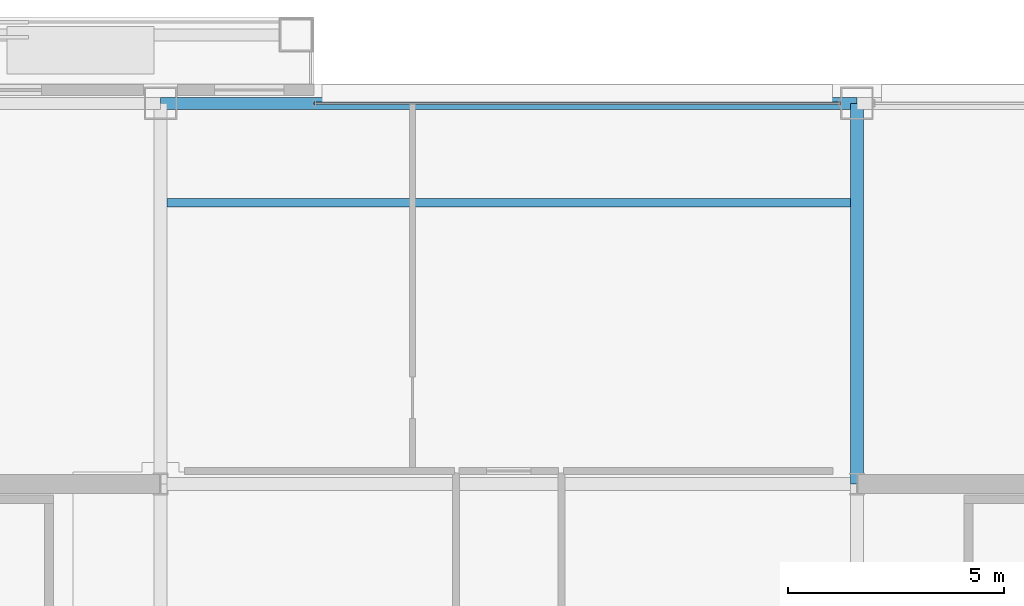
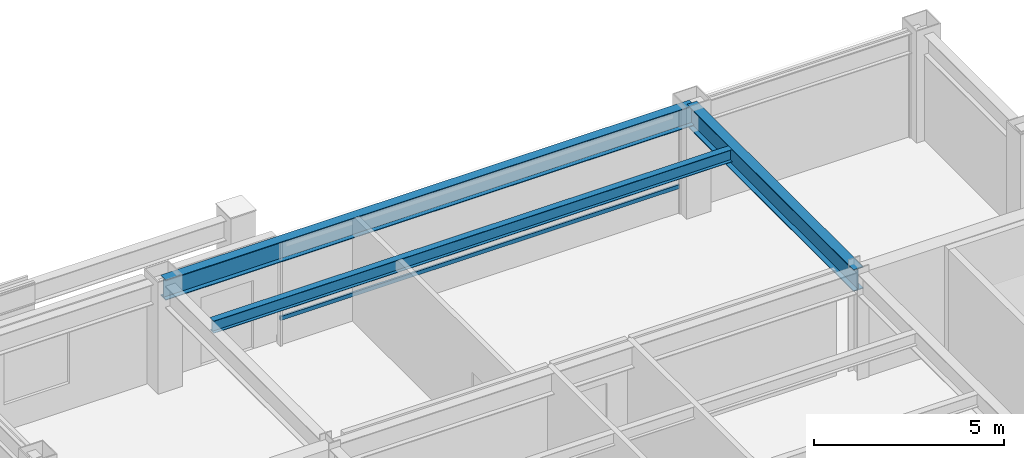
# One storey, part 20 of 27: 3 beams, 1 member, 1 element without a shape of its own.
"""IFC4 building model written with IfcOpenShell, lengths in metres."""

from ifc_helpers import new_model, si_unit, direction, frame, origin, origin_2d, place, context, subcontext, project, spatial, hollow_rectangle, i_section, extrude, material, layer, layer_set, material_profile, profile_set, type_object, element, aggregate, save


model = new_model("IFC4")

# Units and contexts
model_context = context("Model", 3, precision=1e-05, world=origin(), true_north=direction((0.0, 1.0)))
body_context = subcontext(model_context, "Body", "Model", "MODEL_VIEW")
ifc_project = project(units=[si_unit("LENGTHUNIT", "METRE"), si_unit("AREAUNIT", "SQUARE_METRE"), si_unit("VOLUMEUNIT", "CUBIC_METRE"), si_unit("PLANEANGLEUNIT", "RADIAN"), si_unit("MASSUNIT", "GRAM", prefix="KILO")], contexts=[model_context])

# Site, building, storey
site_placement = place(None, origin())
site = spatial("IfcSite", under=ifc_project, at=site_placement, CompositionType="ELEMENT")
building_placement = place(site_placement, origin())
building = spatial("IfcBuilding", under=site, at=building_placement, Name="Brelmoor Portico Tower", CompositionType="ELEMENT")
storey_placement = place(building_placement, frame((0.0, 0.0, 158.699951171875)))
storey = spatial("IfcBuildingStorey", under=building, at=storey_placement, Name="L41", CompositionType="ELEMENT", Elevation=158.699951171875)

# Beams
ifc_material_1 = material(Name="Steel Q355B", Category="steel")
ifc_material_profile_1 = material_profile(ifc_material_1, i_section(OverallWidth=0.199951171875, OverallDepth=0.39990234375, WebThickness=0.008056640625, FlangeThickness=0.012939453125, at=origin_2d()), Name="HN 400x200x8x13")
ifc_profile_set_1 = profile_set([ifc_material_profile_1], Name="Steel Q355B")
beam_type_1 = type_object("IfcBeamType", Name="BM-JS-400", PredefinedType="JOIST", material=ifc_profile_set_1)
beam_1_placement = place(storey_placement, frame((-7.89990234375, 16.25, 3.199951171875), z_axis=(1.0, 0.0, 0.0), x_axis=(0.0, 1.0, 0.0)))
element("IfcBeam", 1, at=beam_1_placement, inside=storey, type_object=beam_type_1, Name="L41 Secondary Composite Joist JS-C04", PredefinedType="JOIST", context=body_context, shape_type="SweptSolid", body=[
    extrude(i_section(OverallWidth=0.199951171875, OverallDepth=0.39990234375, WebThickness=0.008056640625, FlangeThickness=0.012939453125, at=origin_2d()), origin(), (0.0, 0.0, 1.0), 15.7998046875),
])
ifc_material_profile_2 = material_profile(ifc_material_1, i_section(OverallWidth=0.300048828125, OverallDepth=0.699951171875, WebThickness=0.012939453125, FlangeThickness=0.02392578125, at=origin_2d()), Name="HN 700x300x13x24")
ifc_profile_set_2 = profile_set([ifc_material_profile_2], Name="Steel Q355B")
beam_type_2 = type_object("IfcBeamType", Name="BM-PG-700", PredefinedType="BEAM", material=ifc_profile_set_2)
beam_2_placement = place(storey_placement, frame((8.050048828125, 9.75, 3.050048828125), z_axis=(0.0, 1.0, 0.0), x_axis=(-1.0, 0.0, 0.0)))
element("IfcBeam", 2, at=beam_2_placement, inside=storey, type_object=beam_type_2, Name="L41 Primary Floor Girder PG-08", PredefinedType="BEAM", context=body_context, shape_type="SweptSolid", body=[
    extrude(i_section(OverallWidth=0.300048828125, OverallDepth=0.699951171875, WebThickness=0.012939453125, FlangeThickness=0.02392578125, at=origin_2d()), origin(), (0.0, 0.0, 1.0), 8.800048828125),
])
ifc_material_profile_3 = material_profile(ifc_material_1, i_section(OverallWidth=0.280029296875, OverallDepth=0.64990234375, WebThickness=0.012939453125, FlangeThickness=0.02197265625, at=origin_2d()), Name="HN 650x280x13x22")
ifc_profile_set_3 = profile_set([ifc_material_profile_3], Name="Steel Q355B")
beam_type_3 = type_object("IfcBeamType", Name="BM-SP-650", PredefinedType="SPANDREL", material=ifc_profile_set_3)
beam_3_placement = place(storey_placement, frame((-8.050048828125, 18.550048828125, 3.074951171875), z_axis=(1.0, 0.0, 0.0), x_axis=(0.0, 1.0, 0.0)))
element("IfcBeam", 3, at=beam_3_placement, inside=storey, type_object=beam_type_3, Name="L41 Perimeter Spandrel Beam SP-09", PredefinedType="SPANDREL", context=body_context, shape_type="SweptSolid", body=[
    extrude(i_section(OverallWidth=0.280029296875, OverallDepth=0.64990234375, WebThickness=0.012939453125, FlangeThickness=0.02197265625, at=origin_2d()), origin(), (0.0, 0.0, 1.0), 16.10009765625),
])

# Curtain wall, member
ifc_material_2 = material(Name="Anodised Aluminium Alloy 6063-T6", Category="aluminium")
ifc_layer = layer(ifc_material_2, 0.179931640625)
ifc_layer_set = layer_set([ifc_layer], Name="Anodised Aluminium Alloy 6063-T6")
curtain_wall_type = type_object("IfcCurtainWallType", Name="CW-TOWER-Z3", PredefinedType="NOTDEFINED", material=ifc_layer_set)
curtain_wall_placement = place(storey_placement, origin())
curtain_wall = element("IfcCurtainWall", 4, at=curtain_wall_placement, inside=storey, type_object=curtain_wall_type, Name="L41 Curtain Wall CW-L41-2R-1", PredefinedType="NOTDEFINED")
ifc_material_profile_4 = material_profile(ifc_material_2, hollow_rectangle(XDim=0.06005859375, YDim=0.125, WallThickness=0.00341796875, at=origin_2d()), Name="ALU TRANSOM 60x125")
ifc_profile_set_4 = profile_set([ifc_material_profile_4], Name="Anodised Aluminium Alloy 6063-T6")
member_type = type_object("IfcMemberType", Name="MB-CW-TRAN-125", PredefinedType="USERDEFINED", material=ifc_profile_set_4)
member_placement = place(storey_placement, frame((-4.5, 18.550048828125, 0.85009765625), z_axis=(1.0, 0.0, 0.0), x_axis=(0.0, 1.0, 0.0)))
member = element("IfcMember", 5, at=member_placement, type_object=member_type, Name="CW-L41-2R-1 Transom 1-00", ObjectType="TRANSOM", PredefinedType="USERDEFINED", context=body_context, shape_type="SweptSolid", body=[
    extrude(hollow_rectangle(XDim=0.06005859375, YDim=0.125, WallThickness=0.00341796875, at=origin_2d()), origin(), (0.0, 0.0, 1.0), 12.1650390625),
])
aggregate(curtain_wall, [member])

save(model, "model.ifc")
